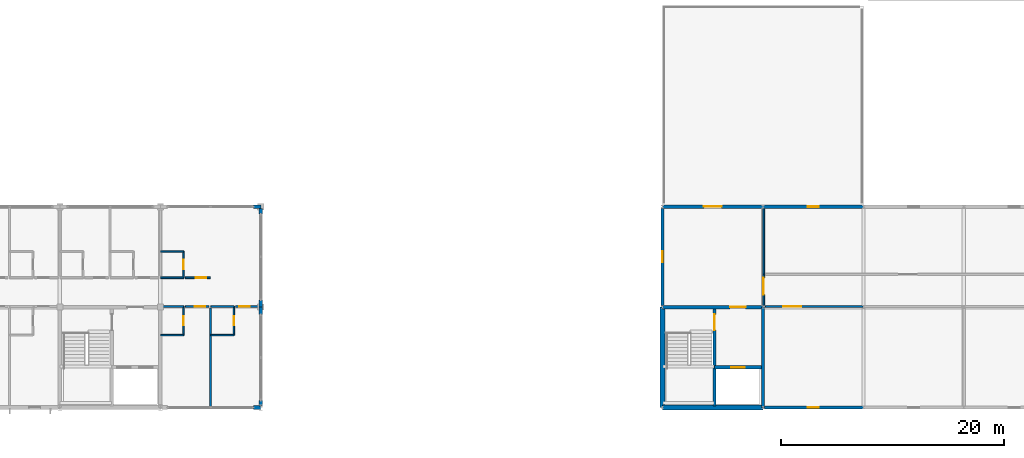
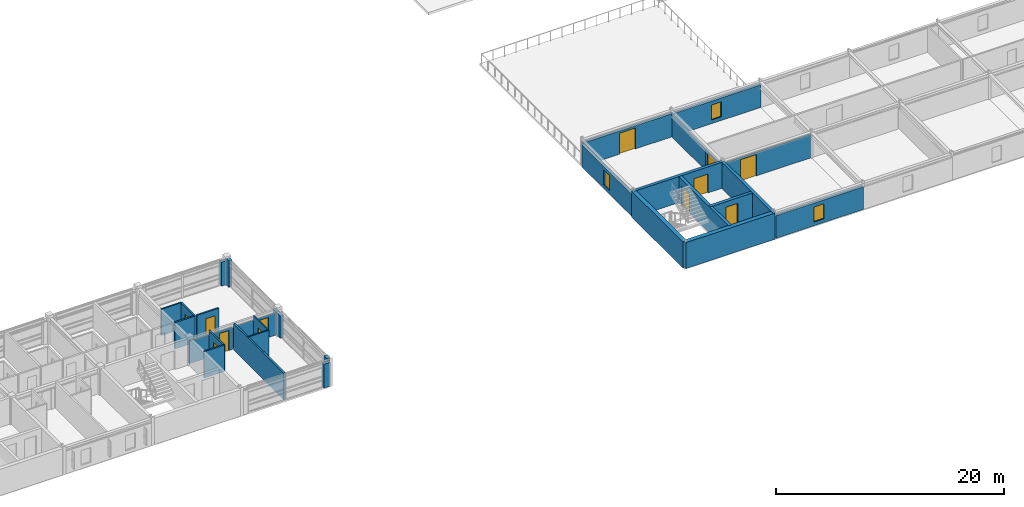
# One storey, part 24 of 37: 32 walls, 12 doors, 3 windows, 15 openings.
"""IFC4 building model written with IfcOpenShell, lengths in metres."""

from ifc_helpers import new_model, si_unit, direction, frame, frame_2d, origin, place, context, subcontext, project, spatial, rectangle, extrude, material, layer, layer_set, type_object, element, fill, save


model = new_model("IFC4")

# Units and contexts
model_context = context("Model", 3, precision=1e-05, world=origin(), true_north=direction((0.0, 1.0)))
body_context = subcontext(model_context, "Body", "Model", "MODEL_VIEW")
ifc_project = project(units=[si_unit("LENGTHUNIT", "METRE"), si_unit("AREAUNIT", "SQUARE_METRE"), si_unit("VOLUMEUNIT", "CUBIC_METRE"), si_unit("PLANEANGLEUNIT", "RADIAN"), si_unit("MASSUNIT", "GRAM", prefix="KILO")], contexts=[model_context])

# Site, building, storey
site_placement = place(None, origin())
site = spatial("IfcSite", under=ifc_project, at=site_placement, CompositionType="ELEMENT")
building_placement = place(site_placement, origin())
building = spatial("IfcBuilding", under=site, at=building_placement, Name="Palais des Congres Ocreval", CompositionType="ELEMENT")
storey_placement = place(building_placement, frame((0.0, 0.0, 11.52001953125)))
storey = spatial("IfcBuildingStorey", under=building, at=storey_placement, Name="L03", CompositionType="ELEMENT", Elevation=11.52001953125)

# Wall, opening, door
ifc_material_1 = material(Name="Moisture-resistant gypsum board")
ifc_layer_1 = layer(ifc_material_1, 0.139892578125)
ifc_layer_set_1 = layer_set([ifc_layer_1], Name="Bathroom Plumbing Chase Wall 140 Gypsum (Moisture-resistant gypsum board)")
wall_type_1 = type_object("IfcWallType", Name="Bathroom Plumbing Chase Wall 140 Gypsum", PredefinedType="PLUMBINGWALL", material=ifc_layer_set_1)
wall_1_placement = place(storey_placement, frame((65.080078125, 6.5, 0.0), z_axis=(0.0, 0.0, 1.0), x_axis=(0.0, 1.0, 0.0)))
wall_1 = element("IfcWall", 1, at=wall_1_placement, inside=storey, type_object=wall_type_1, Name="Bathroom Plumbing Wall PW03 L03", PredefinedType="PLUMBINGWALL", context=body_context, shape_type="SweptSolid", body=[
    extrude(rectangle(XDim=2.56005859375, YDim=0.139892578125, at=frame_2d((1.280029296875, 0.0))), origin(), (0.0, 0.0, 1.0), 2.820068359375),
])
opening_1_placement = place(wall_1_placement, frame((0.85498046875, 0.0, 0.0)))
opening_1 = element("IfcOpeningElement", 2, at=opening_1_placement, cuts=wall_1, Name="Opening D08", PredefinedType="OPENING", context=body_context, shape_type="SweptSolid", body=[
    extrude(rectangle(XDim=0.85009765625, YDim=2.0400390625, at=frame_2d((0.425048828125, 1.02001953125))), frame((0.0, 0.079833984375, 0.0), z_axis=(0.0, -1.0, 0.0), x_axis=(1.0, 0.0, 0.0)), (0.0, 0.0, 1.0), 0.159912109375),
])
ifc_material_2 = material(Name="Solid French oak", Category="wood")
door_type_1 = type_object("IfcDoorType", Name="En-Suite Bathroom Door 850x2040", OperationType="NOTDEFINED", PredefinedType="DOOR", material=ifc_material_2)
door_1_placement = place(opening_1_placement, origin())
door_1 = element("IfcDoor", 3, at=door_1_placement, inside=storey, type_object=door_type_1, Name="En-Suite Bathroom Door D08 L03", OperationType="SINGLE_SWING_RIGHT", OverallHeight=2.0400390625, OverallWidth=0.85009765625, PredefinedType="DOOR", context=body_context, shape_type="SweptSolid", body=[
    extrude(rectangle(XDim=0.85009765625, YDim=2.0400390625, at=frame_2d((0.425048828125, 1.02001953125))), frame((0.0, 0.02490234375, 0.0), z_axis=(0.0, -1.0, 0.0), x_axis=(1.0, 0.0, 0.0)), (0.0, 0.0, 1.0), 0.050048828125),
])
fill(opening_1, door_1)

# Wall
wall_2_placement = place(storey_placement, frame((63.02001953125, 6.5, 0.0), z_axis=(0.0, 0.0, 1.0), x_axis=(1.0, 0.0, 0.0)))
element("IfcWall", 4, at=wall_2_placement, inside=storey, type_object=wall_type_1, Name="Bathroom Plumbing Wall PW03 L03", PredefinedType="PLUMBINGWALL", context=body_context, shape_type="SweptSolid", body=[
    extrude(rectangle(XDim=2.06005859375, YDim=0.139892578125, at=frame_2d((1.030029296875, 0.0))), origin(), (0.0, 0.0, 1.0), 2.820068359375),
])

# Wall, opening, door
wall_3_placement = place(storey_placement, frame((69.580078125, 6.5, 0.0), z_axis=(0.0, 0.0, 1.0), x_axis=(0.0, 1.0, 0.0)))
wall_3 = element("IfcWall", 5, at=wall_3_placement, inside=storey, type_object=wall_type_1, Name="Bathroom Plumbing Wall PW03 L03", PredefinedType="PLUMBINGWALL", context=body_context, shape_type="SweptSolid", body=[
    extrude(rectangle(XDim=2.56005859375, YDim=0.139892578125, at=frame_2d((1.280029296875, 0.0))), origin(), (0.0, 0.0, 1.0), 2.820068359375),
])
opening_2_placement = place(wall_3_placement, frame((0.85498046875, 0.0, 0.0)))
opening_2 = element("IfcOpeningElement", 6, at=opening_2_placement, cuts=wall_3, Name="Opening D08", PredefinedType="OPENING", context=body_context, shape_type="SweptSolid", body=[
    extrude(rectangle(XDim=0.85009765625, YDim=2.0400390625, at=frame_2d((0.425048828125, 1.02001953125))), frame((0.0, 0.079833984375, 0.0), z_axis=(0.0, -1.0, 0.0), x_axis=(1.0, 0.0, 0.0)), (0.0, 0.0, 1.0), 0.159912109375),
])
door_2_placement = place(opening_2_placement, origin())
door_2 = element("IfcDoor", 7, at=door_2_placement, inside=storey, type_object=door_type_1, Name="En-Suite Bathroom Door D08 L03", OperationType="SINGLE_SWING_LEFT", OverallHeight=2.0400390625, OverallWidth=0.85009765625, PredefinedType="DOOR", context=body_context, shape_type="SweptSolid", body=[
    extrude(rectangle(XDim=0.85009765625, YDim=2.0400390625, at=frame_2d((0.425048828125, 1.02001953125))), frame((0.0, 0.02490234375, 0.0), z_axis=(0.0, -1.0, 0.0), x_axis=(1.0, 0.0, 0.0)), (0.0, 0.0, 1.0), 0.050048828125),
])
fill(opening_2, door_2)

# Wall
wall_4_placement = place(storey_placement, frame((67.52001953125, 6.5, 0.0), z_axis=(0.0, 0.0, 1.0), x_axis=(1.0, 0.0, 0.0)))
element("IfcWall", 8, at=wall_4_placement, inside=storey, type_object=wall_type_1, Name="Bathroom Plumbing Wall PW03 L03", PredefinedType="PLUMBINGWALL", context=body_context, shape_type="SweptSolid", body=[
    extrude(rectangle(XDim=2.06005859375, YDim=0.139892578125, at=frame_2d((1.030029296875, 0.0))), origin(), (0.0, 0.0, 1.0), 2.820068359375),
])

# Wall, opening, door
wall_5_placement = place(storey_placement, frame((65.080078125, 11.639892578125, 0.0), z_axis=(0.0, 0.0, 1.0), x_axis=(0.0, 1.0, 0.0)))
wall_5 = element("IfcWall", 9, at=wall_5_placement, inside=storey, type_object=wall_type_1, Name="Bathroom Plumbing Wall PW03 L03", PredefinedType="PLUMBINGWALL", context=body_context, shape_type="SweptSolid", body=[
    extrude(rectangle(XDim=2.360107421875, YDim=0.139892578125, at=frame_2d((1.18017578125, 0.0))), origin(), (0.0, 0.0, 1.0), 2.820068359375),
])
opening_3_placement = place(wall_5_placement, frame((0.7548828125, 0.0, 0.0)))
opening_3 = element("IfcOpeningElement", 10, at=opening_3_placement, cuts=wall_5, Name="Opening D08", PredefinedType="OPENING", context=body_context, shape_type="SweptSolid", body=[
    extrude(rectangle(XDim=0.85009765625, YDim=2.0400390625, at=frame_2d((0.425048828125, 1.02001953125))), frame((0.0, 0.079833984375, 0.0), z_axis=(0.0, -1.0, 0.0), x_axis=(1.0, 0.0, 0.0)), (0.0, 0.0, 1.0), 0.159912109375),
])
door_3_placement = place(opening_3_placement, origin())
door_3 = element("IfcDoor", 11, at=door_3_placement, inside=storey, type_object=door_type_1, Name="En-Suite Bathroom Door D08 L03", OperationType="SINGLE_SWING_RIGHT", OverallHeight=2.0400390625, OverallWidth=0.85009765625, PredefinedType="DOOR", context=body_context, shape_type="SweptSolid", body=[
    extrude(rectangle(XDim=0.85009765625, YDim=2.0400390625, at=frame_2d((0.425048828125, 1.02001953125))), frame((0.0, 0.02490234375, 0.0), z_axis=(0.0, -1.0, 0.0), x_axis=(1.0, 0.0, 0.0)), (0.0, 0.0, 1.0), 0.050048828125),
])
fill(opening_3, door_3)

# Walls
wall_6_placement = place(storey_placement, frame((63.02001953125, 14.0, 0.0), z_axis=(0.0, 0.0, 1.0), x_axis=(1.0, 0.0, 0.0)))
element("IfcWall", 12, at=wall_6_placement, inside=storey, type_object=wall_type_1, Name="Bathroom Plumbing Wall PW03 L03", PredefinedType="PLUMBINGWALL", context=body_context, shape_type="SweptSolid", body=[
    extrude(rectangle(XDim=2.06005859375, YDim=0.139892578125, at=frame_2d((1.030029296875, 0.0))), origin(), (0.0, 0.0, 1.0), 2.820068359375),
])
ifc_material_3 = material(Name="Concrete C40/50", Category="concrete")
ifc_layer_2 = layer(ifc_material_3, 0.419921875)
ifc_layer_set_2 = layer_set([ifc_layer_2], Name="Congress Stone Facade Wall 420 Concrete C40/50")
wall_type_2 = type_object("IfcWallType", Name="Congress Stone Facade Wall 420 Concrete C40/50", PredefinedType="SOLIDWALL", material=ifc_layer_set_2)
for number, where, z_axis, x_axis, name in (
    (13, (117.0, 0.0, 0.0), (0.0, 0.0, 1.0), (-1.0, 0.0, 0.0), "Core Perimeter Shear Wall EW02 SC09 L03"),
    (14, (108.0, 0.0, 0.0), (0.0, 0.0, 1.0), (0.0, 1.0, 0.0), "Core Perimeter Shear Wall EW02 SC09 L03"),
):
    element("IfcWall", number, at=place(storey_placement, frame(where, z_axis=z_axis, x_axis=x_axis)), inside=storey, type_object=wall_type_2, Name=name, PredefinedType="SOLIDWALL", context=body_context, shape_type="SweptSolid", body=[
        extrude(rectangle(XDim=9.0, YDim=0.419921875, at=frame_2d((4.5, 0.0))), origin(), (0.0, 0.0, 1.0), 2.7900390625),
    ])
ifc_layer_3 = layer(ifc_material_3, 0.300048828125)
ifc_layer_set_3 = layer_set([ifc_layer_3], Name="Core Shear Wall 300 Concrete C40/50")
wall_type_3 = type_object("IfcWallType", Name="Core Shear Wall 300 Concrete C40/50", PredefinedType="SHEAR", material=ifc_layer_set_3)
wall_7_placement = place(storey_placement, frame((117.0, 0.0, 0.0), z_axis=(0.0, 0.0, 1.0), x_axis=(0.0, 1.0, 0.0)))
element("IfcWall", 15, at=wall_7_placement, inside=storey, type_object=wall_type_3, Name="Core Shear Wall SC09 L03 E", PredefinedType="SHEAR", context=body_context, shape_type="SweptSolid", body=[
    extrude(rectangle(XDim=9.0, YDim=0.300048828125, at=frame_2d((4.5, 0.0))), origin(), (0.0, 0.0, 1.0), 2.7900390625),
])

# Wall, opening, door
wall_8_placement = place(storey_placement, frame((108.0, 9.0, 0.0), z_axis=(0.0, 0.0, 1.0), x_axis=(1.0, 0.0, 0.0)))
wall_8 = element("IfcWall", 16, at=wall_8_placement, inside=storey, type_object=wall_type_3, Name="Core Shear Wall SC09 L03 N", PredefinedType="SHEAR", context=body_context, shape_type="SweptSolid", body=[
    extrude(rectangle(XDim=9.0, YDim=0.300048828125, at=frame_2d((4.5, 0.0))), origin(), (0.0, 0.0, 1.0), 2.7900390625),
])
opening_4_placement = place(wall_8_placement, frame((6.050048828125, 0.0, 0.0)))
opening_4 = element("IfcOpeningElement", 17, at=opening_4_placement, cuts=wall_8, Name="Opening D03", PredefinedType="OPENING", context=body_context, shape_type="SweptSolid", body=[
    extrude(rectangle(XDim=1.39990234375, YDim=2.02001953125, at=frame_2d((0.699951171875, 1.010009765625))), frame((0.0, 0.159912109375, 0.0), z_axis=(0.0, -1.0, 0.0), x_axis=(1.0, 0.0, 0.0)), (0.0, 0.0, 1.0), 0.320068359375),
])
ifc_material_4 = material(Name="Painted fire-rated steel", Category="steel")
door_type_2 = type_object("IfcDoorType", Name="Core Lobby Rated Door 1400x2020", OperationType="NOTDEFINED", PredefinedType="DOOR", material=ifc_material_4)
door_4_placement = place(opening_4_placement, origin())
door_4 = element("IfcDoor", 18, at=door_4_placement, inside=storey, type_object=door_type_2, Name="Lobby Entrance Door SC09 L03", OperationType="DOUBLE_DOOR_SINGLE_SWING", OverallHeight=2.02001953125, OverallWidth=1.39990234375, PredefinedType="DOOR", context=body_context, shape_type="SweptSolid", body=[
    extrude(rectangle(XDim=1.39990234375, YDim=2.02001953125, at=frame_2d((0.699951171875, 1.010009765625))), frame((0.0, 0.02490234375, 0.0), z_axis=(0.0, -1.0, 0.0), x_axis=(1.0, 0.0, 0.0)), (0.0, 0.0, 1.0), 0.050048828125),
])
fill(opening_4, door_4)

wall_9_placement = place(storey_placement, frame((112.64990234375, 0.14990234375, 0.0), z_axis=(0.0, 0.0, 1.0), x_axis=(0.0, 1.0, 0.0)))
wall_9 = element("IfcWall", 19, at=wall_9_placement, inside=storey, type_object=wall_type_3, Name="Core Spine Shear Wall SC09 L03", PredefinedType="SHEAR", context=body_context, shape_type="SweptSolid", body=[
    extrude(rectangle(XDim=8.7001953125, YDim=0.300048828125, at=frame_2d((4.35009765625, 0.0))), origin(), (0.0, 0.0, 1.0), 2.7900390625),
])
opening_5_placement = place(wall_9_placement, frame((6.800048828125, 0.0, 0.0)))
opening_5 = element("IfcOpeningElement", 20, at=opening_5_placement, cuts=wall_9, Name="Opening D03", PredefinedType="OPENING", context=body_context, shape_type="SweptSolid", body=[
    extrude(rectangle(XDim=1.39990234375, YDim=2.02001953125, at=frame_2d((0.699951171875, 1.010009765625))), frame((0.0, 0.159912109375, 0.0), z_axis=(0.0, -1.0, 0.0), x_axis=(1.0, 0.0, 0.0)), (0.0, 0.0, 1.0), 0.320068359375),
])
door_5_placement = place(opening_5_placement, origin())
door_5 = element("IfcDoor", 21, at=door_5_placement, inside=storey, type_object=door_type_2, Name="Protected Exit Stair Door ST09 L03", OperationType="SINGLE_SWING_LEFT", OverallHeight=2.02001953125, OverallWidth=1.39990234375, PredefinedType="DOOR", context=body_context, shape_type="SweptSolid", body=[
    extrude(rectangle(XDim=1.39990234375, YDim=2.02001953125, at=frame_2d((0.699951171875, 1.010009765625))), frame((0.0, 0.02490234375, 0.0), z_axis=(0.0, -1.0, 0.0), x_axis=(1.0, 0.0, 0.0)), (0.0, 0.0, 1.0), 0.050048828125),
])
fill(opening_5, door_5)

wall_10_placement = place(storey_placement, frame((112.64990234375, 3.60009765625, 0.0), z_axis=(0.0, 0.0, 1.0), x_axis=(1.0, 0.0, 0.0)))
wall_10 = element("IfcWall", 22, at=wall_10_placement, inside=storey, type_object=wall_type_3, Name="Lift Shaft Front Wall SC09 L03", PredefinedType="SHEAR", context=body_context, shape_type="SweptSolid", body=[
    extrude(rectangle(XDim=4.2001953125, YDim=0.300048828125, at=frame_2d((2.10009765625, 0.0))), origin(), (0.0, 0.0, 1.0), 2.7900390625),
])
opening_6_placement = place(wall_10_placement, frame((1.5, 0.0, 0.0)))
opening_6 = element("IfcOpeningElement", 23, at=opening_6_placement, cuts=wall_10, Name="Opening LD02", PredefinedType="OPENING", context=body_context, shape_type="SweptSolid", body=[
    extrude(rectangle(XDim=1.199951171875, YDim=2.199951171875, at=frame_2d((0.60009765625, 1.10009765625))), frame((0.0, 0.159912109375, 0.0), z_axis=(0.0, -1.0, 0.0), x_axis=(1.0, 0.0, 0.0)), (0.0, 0.0, 1.0), 0.320068359375),
])
ifc_material_5 = material(Name="Anodized bronze steel", Category="steel")
door_type_3 = type_object("IfcDoorType", Name="Passenger and Service Lift Sliding Door 1200x2200", OperationType="NOTDEFINED", PredefinedType="DOOR", material=ifc_material_5)
door_6_placement = place(opening_6_placement, origin())
door_6 = element("IfcDoor", 24, at=door_6_placement, inside=storey, type_object=door_type_3, Name="Lift Landing Sliding Door CL3 L03", OperationType="DOUBLE_DOOR_SLIDING", OverallHeight=2.199951171875, OverallWidth=1.199951171875, PredefinedType="DOOR", context=body_context, shape_type="SweptSolid", body=[
    extrude(rectangle(XDim=1.199951171875, YDim=2.199951171875, at=frame_2d((0.60009765625, 1.10009765625))), frame((0.0, 0.02490234375, 0.0), z_axis=(0.0, -1.0, 0.0), x_axis=(1.0, 0.0, 0.0)), (0.0, 0.0, 1.0), 0.050048828125),
])
fill(opening_6, door_6)

# Walls
ifc_material_6 = material(Name="Gypsum acoustic partition")
ifc_layer_4 = layer(ifc_material_6, 0.159912109375)
ifc_layer_set_4 = layer_set([ifc_layer_4], Name="Corridor Fire Partition 160 Gypsum (Gypsum acoustic partition)")
wall_type_4 = type_object("IfcWallType", Name="Corridor Fire Partition 160 Gypsum", PredefinedType="PARTITIONING", material=ifc_layer_set_4)
for number, where, z_axis, x_axis, name in (
    (25, (63.02001953125, 9.06005859375, 0.0), (0.0, 0.0, 1.0), (1.0, 0.0, 0.0), "Corridor Partition IW03 L03"),
    (26, (67.52001953125, 9.06005859375, 0.0), (0.0, 0.0, 1.0), (1.0, 0.0, 0.0), "Corridor Partition IW03 L03"),
):
    element("IfcWall", number, at=place(storey_placement, frame(where, z_axis=z_axis, x_axis=x_axis)), inside=storey, type_object=wall_type_4, Name=name, PredefinedType="PARTITIONING", context=body_context, shape_type="SweptSolid", body=[
        extrude(rectangle(XDim=2.06005859375, YDim=0.159912109375, at=frame_2d((1.030029296875, 0.0))), origin(), (0.0, 0.0, 1.0), 2.3798828125),
    ])
wall_11_placement = place(storey_placement, frame((63.02001953125, 11.639892578125, 0.0), z_axis=(0.0, 0.0, 1.0), x_axis=(1.0, 0.0, 0.0)))
element("IfcWall", 27, at=wall_11_placement, inside=storey, type_object=wall_type_4, Name="Corridor Partition IW03 L03", PredefinedType="PARTITIONING", context=body_context, shape_type="SweptSolid", body=[
    extrude(rectangle(XDim=2.06005859375, YDim=0.159912109375, at=frame_2d((1.030029296875, 0.0))), origin(), (0.0, 0.0, 1.0), 2.820068359375),
])
wall_12_placement = place(storey_placement, frame((117.06494140625, 11.93994140625, 0.0), z_axis=(0.0, 0.0, 1.0), x_axis=(0.0, 1.0, 0.0)))
element("IfcWall", 28, at=wall_12_placement, inside=storey, type_object=wall_type_4, Name="Interior Partition IW03 L03", PredefinedType="PARTITIONING", context=body_context, shape_type="SweptSolid", body=[
    extrude(rectangle(XDim=5.9150390625, YDim=0.159912109375, at=frame_2d((2.95751953125, 0.0))), origin(), (0.0, 0.0, 1.0), 2.18994140625),
])

# Wall, opening, door
wall_13_placement = place(storey_placement, frame((65.235107421875, 9.06494140625, 0.0), z_axis=(0.0, 0.0, 1.0), x_axis=(1.0, 0.0, 0.0)))
wall_13 = element("IfcWall", 29, at=wall_13_placement, inside=storey, type_object=wall_type_4, Name="Interior Partition IW03 L03", PredefinedType="PARTITIONING", context=body_context, shape_type="SweptSolid", body=[
    extrude(rectangle(XDim=2.10986328125, YDim=0.159912109375, at=frame_2d((1.054931640625, 0.0))), origin(), (0.0, 0.0, 1.0), 2.3798828125),
])
opening_7_placement = place(wall_13_placement, frame((0.833251953125, 0.0, 0.0)))
opening_7 = element("IfcOpeningElement", 30, at=opening_7_placement, cuts=wall_13, Name="Opening D05", PredefinedType="OPENING", context=body_context, shape_type="SweptSolid", body=[
    extrude(rectangle(XDim=0.949951171875, YDim=2.14990234375, at=frame_2d((0.47509765625, 1.074951171875))), frame((0.0, 0.08984375, 0.0), z_axis=(0.0, -1.0, 0.0), x_axis=(1.0, 0.0, 0.0)), (0.0, 0.0, 1.0), 0.179931640625),
])
door_type_4 = type_object("IfcDoorType", Name="Hotel Guestroom Entrance Door 950x2150", OperationType="NOTDEFINED", PredefinedType="DOOR", material=ifc_material_2)
door_7_placement = place(opening_7_placement, origin())
door_7 = element("IfcDoor", 31, at=door_7_placement, inside=storey, type_object=door_type_4, Name="Interior Door D05 L03", OperationType="SINGLE_SWING_LEFT", OverallHeight=2.14990234375, OverallWidth=0.949951171875, PredefinedType="DOOR", context=body_context, shape_type="SweptSolid", body=[
    extrude(rectangle(XDim=0.949951171875, YDim=2.14990234375, at=frame_2d((0.47509765625, 1.074951171875))), frame((0.0, 0.02490234375, 0.0), z_axis=(0.0, -1.0, 0.0), x_axis=(1.0, 0.0, 0.0)), (0.0, 0.0, 1.0), 0.050048828125),
])
fill(opening_7, door_7)

wall_14_placement = place(storey_placement, frame((69.735107421875, 9.06494140625, 0.0), z_axis=(0.0, 0.0, 1.0), x_axis=(1.0, 0.0, 0.0)))
wall_14 = element("IfcWall", 32, at=wall_14_placement, inside=storey, type_object=wall_type_4, Name="Interior Partition IW03 L03", PredefinedType="PARTITIONING", context=body_context, shape_type="SweptSolid", body=[
    extrude(rectangle(XDim=2.08984375, YDim=0.159912109375, at=frame_2d((1.044921875, 0.0))), origin(), (0.0, 0.0, 1.0), 2.3798828125),
])
opening_8_placement = place(wall_14_placement, frame((0.319091796875, 0.0, 0.0)))
opening_8 = element("IfcOpeningElement", 33, at=opening_8_placement, cuts=wall_14, Name="Opening D05", PredefinedType="OPENING", context=body_context, shape_type="SweptSolid", body=[
    extrude(rectangle(XDim=0.949951171875, YDim=2.14990234375, at=frame_2d((0.47509765625, 1.074951171875))), frame((0.0, 0.08984375, 0.0), z_axis=(0.0, -1.0, 0.0), x_axis=(1.0, 0.0, 0.0)), (0.0, 0.0, 1.0), 0.179931640625),
])
door_8_placement = place(opening_8_placement, origin())
door_8 = element("IfcDoor", 34, at=door_8_placement, inside=storey, type_object=door_type_4, Name="Interior Door D05 L03", OperationType="SINGLE_SWING_RIGHT", OverallHeight=2.14990234375, OverallWidth=0.949951171875, PredefinedType="DOOR", context=body_context, shape_type="SweptSolid", body=[
    extrude(rectangle(XDim=0.949951171875, YDim=2.14990234375, at=frame_2d((0.47509765625, 1.074951171875))), frame((0.0, 0.02490234375, 0.0), z_axis=(0.0, -1.0, 0.0), x_axis=(1.0, 0.0, 0.0)), (0.0, 0.0, 1.0), 0.050048828125),
])
fill(opening_8, door_8)

wall_15_placement = place(storey_placement, frame((65.235107421875, 11.635009765625, 0.0), z_axis=(0.0, 0.0, 1.0), x_axis=(1.0, 0.0, 0.0)))
wall_15 = element("IfcWall", 35, at=wall_15_placement, inside=storey, type_object=wall_type_4, Name="Interior Partition IW03 L03", PredefinedType="PARTITIONING", context=body_context, shape_type="SweptSolid", body=[
    extrude(rectangle(XDim=2.244873046875, YDim=0.159912109375, at=frame_2d((1.12255859375, 0.0))), origin(), (0.0, 0.0, 1.0), 2.820068359375),
])
opening_9_placement = place(wall_15_placement, frame((0.9169921875, 0.0, 0.0)))
opening_9 = element("IfcOpeningElement", 36, at=opening_9_placement, cuts=wall_15, Name="Opening D05", PredefinedType="OPENING", context=body_context, shape_type="SweptSolid", body=[
    extrude(rectangle(XDim=0.949951171875, YDim=2.14990234375, at=frame_2d((0.47509765625, 1.074951171875))), frame((0.0, 0.08984375, 0.0), z_axis=(0.0, -1.0, 0.0), x_axis=(1.0, 0.0, 0.0)), (0.0, 0.0, 1.0), 0.179931640625),
])
door_9_placement = place(opening_9_placement, origin())
door_9 = element("IfcDoor", 37, at=door_9_placement, inside=storey, type_object=door_type_4, Name="Interior Door D05 L03", OperationType="SINGLE_SWING_LEFT", OverallHeight=2.14990234375, OverallWidth=0.949951171875, PredefinedType="DOOR", context=body_context, shape_type="SweptSolid", body=[
    extrude(rectangle(XDim=0.949951171875, YDim=2.14990234375, at=frame_2d((0.47509765625, 1.074951171875))), frame((0.0, 0.02490234375, 0.0), z_axis=(0.0, -1.0, 0.0), x_axis=(1.0, 0.0, 0.0)), (0.0, 0.0, 1.0), 0.050048828125),
])
fill(opening_9, door_9)

wall_16_placement = place(storey_placement, frame((117.06494140625, 9.155029296875, 0.0), z_axis=(0.0, 0.0, 1.0), x_axis=(0.0, 1.0, 0.0)))
wall_16 = element("IfcWall", 38, at=wall_16_placement, inside=storey, type_object=wall_type_4, Name="Interior Partition IW03 L03", PredefinedType="PARTITIONING", context=body_context, shape_type="SweptSolid", body=[
    extrude(rectangle(XDim=2.77490234375, YDim=0.159912109375, at=frame_2d((1.387451171875, 0.0))), origin(), (0.0, 0.0, 1.0), 2.18994140625),
])
opening_10_placement = place(wall_16_placement, frame((0.970458984375, 0.0, 0.0)))
opening_10 = element("IfcOpeningElement", 39, at=opening_10_placement, cuts=wall_16, Name="Opening D04", PredefinedType="OPENING", context=body_context, shape_type="SweptSolid", body=[
    extrude(rectangle(XDim=1.5, YDim=2.10009765625, at=frame_2d((0.75, 1.050048828125))), frame((0.0, 0.08984375, 0.0), z_axis=(0.0, -1.0, 0.0), x_axis=(1.0, 0.0, 0.0)), (0.0, 0.0, 1.0), 0.179931640625),
])
ifc_material_7 = material(Name="Solid French oak fire door", Category="wood")
door_type_5 = type_object("IfcDoorType", Name="Corridor Compartment Double Door 1500x2100", OperationType="NOTDEFINED", PredefinedType="DOOR", material=ifc_material_7)
door_10_placement = place(opening_10_placement, origin())
door_10 = element("IfcDoor", 40, at=door_10_placement, inside=storey, type_object=door_type_5, Name="Interior Door D04 L03", OperationType="DOUBLE_DOOR_SINGLE_SWING", OverallHeight=2.10009765625, OverallWidth=1.5, PredefinedType="DOOR", context=body_context, shape_type="SweptSolid", body=[
    extrude(rectangle(XDim=1.5, YDim=2.10009765625, at=frame_2d((0.75, 1.050048828125))), frame((0.0, 0.02490234375, 0.0), z_axis=(0.0, -1.0, 0.0), x_axis=(1.0, 0.0, 0.0)), (0.0, 0.0, 1.0), 0.050048828125),
])
fill(opening_10, door_10)

wall_17_placement = place(storey_placement, frame((117.219970703125, 9.06494140625, 0.0), z_axis=(0.0, 0.0, 1.0), x_axis=(1.0, 0.0, 0.0)))
wall_17 = element("IfcWall", 41, at=wall_17_placement, inside=storey, type_object=wall_type_4, Name="Interior Partition IW03 L03", PredefinedType="PARTITIONING", context=body_context, shape_type="SweptSolid", body=[
    extrude(rectangle(XDim=8.760009765625, YDim=0.159912109375, at=frame_2d((4.3798828125, 0.0))), origin(), (0.0, 0.0, 1.0), 2.489990234375),
])
opening_11_placement = place(wall_17_placement, frame((1.60009765625, 0.0, 0.0)))
opening_11 = element("IfcOpeningElement", 42, at=opening_11_placement, cuts=wall_17, Name="Opening D12", PredefinedType="OPENING", context=body_context, shape_type="SweptSolid", body=[
    extrude(rectangle(XDim=1.60009765625, YDim=2.300048828125, at=frame_2d((0.800048828125, 1.14990234375))), frame((0.0, 0.08984375, 0.0), z_axis=(0.0, -1.0, 0.0), x_axis=(1.0, 0.0, 0.0)), (0.0, 0.0, 1.0), 0.179931640625),
])
door_type_6 = type_object("IfcDoorType", Name="Meeting Room Acoustic Double Door 1600x2300", OperationType="NOTDEFINED", PredefinedType="DOOR", material=ifc_material_2)
door_11_placement = place(opening_11_placement, origin())
door_11 = element("IfcDoor", 43, at=door_11_placement, inside=storey, type_object=door_type_6, Name="Interior Door D12 L03", OperationType="DOUBLE_DOOR_SINGLE_SWING", OverallHeight=2.300048828125, OverallWidth=1.60009765625, PredefinedType="DOOR", context=body_context, shape_type="SweptSolid", body=[
    extrude(rectangle(XDim=1.60009765625, YDim=2.300048828125, at=frame_2d((0.800048828125, 1.14990234375))), frame((0.0, 0.02490234375, 0.0), z_axis=(0.0, -1.0, 0.0), x_axis=(1.0, 0.0, 0.0)), (0.0, 0.0, 1.0), 0.050048828125),
])
fill(opening_11, door_11)

# Walls
ifc_layer_5 = layer(ifc_material_6, 0.179931640625)
ifc_layer_set_5 = layer_set([ifc_layer_5], Name="Hotel Inter-Room Acoustic Partition 180 Gypsum (Gypsum acoustic partition)")
wall_type_5 = type_object("IfcWallType", Name="Hotel Inter-Room Acoustic Partition 180 Gypsum", PredefinedType="PARTITIONING", material=ifc_layer_set_5)
wall_18_placement = place(storey_placement, frame((67.5, 0.094970703125, 0.0), z_axis=(0.0, 0.0, 1.0), x_axis=(0.0, 1.0, 0.0)))
element("IfcWall", 44, at=wall_18_placement, inside=storey, type_object=wall_type_5, Name="Hotel Party Partition IW02 L03", PredefinedType="PARTITIONING", context=body_context, shape_type="SweptSolid", body=[
    extrude(rectangle(XDim=8.81005859375, YDim=0.179931640625, at=frame_2d((4.405029296875, 0.0))), origin(), (0.0, 0.0, 1.0), 2.820068359375),
])
ifc_layer_6 = layer(ifc_material_3, 0.340087890625)
ifc_layer_set_6 = layer_set([ifc_layer_6], Name="Ochre Mineral-Lime Courtyard Wall 340 Concrete C40/50")
wall_type_6 = type_object("IfcWallType", Name="Ochre Mineral-Lime Courtyard Wall 340 Concrete C40/50", PredefinedType="SOLIDWALL", material=ifc_layer_set_6)
wall_19_placement = place(storey_placement, frame((72.0, 17.844970703125, 0.0), z_axis=(0.0, 0.0, 1.0), x_axis=(0.0, -1.0, 0.0)))
element("IfcWall", 45, at=wall_19_placement, inside=storey, type_object=wall_type_6, Name="Facade Pier EW04 L03", PredefinedType="SOLIDWALL", context=body_context, shape_type="SweptSolid", body=[
    extrude(rectangle(XDim=0.494873046875, YDim=0.340087890625, at=frame_2d((0.24755859375, 0.0))), origin(), (0.0, 0.0, 1.0), 2.820068359375),
])
wall_20_placement = place(storey_placement, frame((72.0, 9.64990234375, 0.0), z_axis=(0.0, 0.0, 1.0), x_axis=(0.0, -1.0, 0.0)))
element("IfcWall", 46, at=wall_20_placement, inside=storey, type_object=wall_type_6, Name="Facade Pier EW04 L03", PredefinedType="SOLIDWALL", context=body_context, shape_type="SweptSolid", body=[
    extrude(rectangle(XDim=0.64990234375, YDim=0.340087890625, at=frame_2d((0.324951171875, 0.0))), origin(), (0.0, 0.0, 1.0), 2.3798828125),
])
wall_21_placement = place(storey_placement, frame((72.0, 9.0, 0.0), z_axis=(0.0, 0.0, 1.0), x_axis=(0.0, -1.0, 0.0)))
element("IfcWall", 47, at=wall_21_placement, inside=storey, type_object=wall_type_6, Name="Facade Pier EW04 L03", PredefinedType="SOLIDWALL", context=body_context, shape_type="SweptSolid", body=[
    extrude(rectangle(XDim=0.64990234375, YDim=0.340087890625, at=frame_2d((0.324951171875, 0.0))), origin(), (0.0, 0.0, 1.0), 2.419921875),
])
wall_22_placement = place(storey_placement, frame((72.0, 0.64990234375, 0.0), z_axis=(0.0, 0.0, 1.0), x_axis=(0.0, -1.0, 0.0)))
element("IfcWall", 48, at=wall_22_placement, inside=storey, type_object=wall_type_6, Name="Facade Pier EW04 L03", PredefinedType="SOLIDWALL", context=body_context, shape_type="SweptSolid", body=[
    extrude(rectangle(XDim=0.494873046875, YDim=0.340087890625, at=frame_2d((0.24755859375, 0.0))), origin(), (0.0, 0.0, 1.0), 2.820068359375),
])
for number, where, z_axis, x_axis, name in (
    (49, (72.0, 0.0, 0.0), (0.0, 0.0, 1.0), (-1.0, 0.0, 0.0), "Facade Pier EW04 L03"),
    (50, (71.35009765625, 18.0, 0.0), (0.0, 0.0, 1.0), (1.0, 0.0, 0.0), "Facade Pier EW04 L03"),
):
    element("IfcWall", number, at=place(storey_placement, frame(where, z_axis=z_axis, x_axis=x_axis)), inside=storey, type_object=wall_type_6, Name=name, PredefinedType="SOLIDWALL", context=body_context, shape_type="SweptSolid", body=[
        extrude(rectangle(XDim=0.64990234375, YDim=0.340087890625, at=frame_2d((0.324951171875, 0.0))), origin(), (0.0, 0.0, 1.0), 2.550048828125),
    ])

# Wall, opening, door
ifc_layer_7 = layer(ifc_material_3, 0.280029296875)
ifc_layer_set_7 = layer_set([ifc_layer_7], Name="Terracotta Mineral-Lime Facade Wall 280 Concrete C40/50")
wall_type_7 = type_object("IfcWallType", Name="Terracotta Mineral-Lime Facade Wall 280 Concrete C40/50", PredefinedType="SOLIDWALL", material=ifc_layer_set_7)
wall_23_placement = place(storey_placement, frame((108.0, 18.0, 0.0), z_axis=(0.0, 0.0, 1.0), x_axis=(1.0, 0.0, 0.0)))
wall_23 = element("IfcWall", 51, at=wall_23_placement, inside=storey, type_object=wall_type_7, Name="Exterior Wall EW05 L03", PredefinedType="SOLIDWALL", context=body_context, shape_type="SweptSolid", body=[
    extrude(rectangle(XDim=9.0, YDim=0.280029296875, at=frame_2d((4.5, 0.0))), origin(), (0.0, 0.0, 1.0), 2.47998046875),
])
opening_12_placement = place(wall_23_placement, frame((3.699951171875, 0.0, 0.0)))
opening_12 = element("IfcOpeningElement", 52, at=opening_12_placement, cuts=wall_23, Name="Opening TD02", PredefinedType="OPENING", context=body_context, shape_type="SweptSolid", body=[
    extrude(rectangle(XDim=1.60009765625, YDim=2.25, at=frame_2d((0.800048828125, 1.125))), frame((0.0, 0.14990234375, 0.0), z_axis=(0.0, -1.0, 0.0), x_axis=(1.0, 0.0, 0.0)), (0.0, 0.0, 1.0), 0.300048828125),
])
ifc_material_8 = material(Name="Anodized bronze aluminium and safety glass", Category="aluminium")
door_type_7 = type_object("IfcDoorType", Name="Suite Terrace French Door 1600x2250", OperationType="NOTDEFINED", PredefinedType="DOOR", material=ifc_material_8)
door_12_placement = place(opening_12_placement, origin())
door_12 = element("IfcDoor", 53, at=door_12_placement, inside=storey, type_object=door_type_7, Name="Terrace Access Door Breakout Courtyard Planted Roof Terrace", OperationType="DOUBLE_DOOR_SINGLE_SWING", OverallHeight=2.25, OverallWidth=1.60009765625, PredefinedType="DOOR", context=body_context, shape_type="SweptSolid", body=[
    extrude(rectangle(XDim=1.60009765625, YDim=2.25, at=frame_2d((0.800048828125, 1.125))), frame((0.0, 0.02490234375, 0.0), z_axis=(0.0, -1.0, 0.0), x_axis=(1.0, 0.0, 0.0)), (0.0, 0.0, 1.0), 0.050048828125),
])
fill(opening_12, door_12)

# Wall, opening, window
wall_24_placement = place(storey_placement, frame((117.0, 18.0, 0.0), z_axis=(0.0, 0.0, 1.0), x_axis=(1.0, 0.0, 0.0)))
wall_24 = element("IfcWall", 54, at=wall_24_placement, inside=storey, type_object=wall_type_7, Name="Exterior Wall EW05 L03", PredefinedType="SOLIDWALL", context=body_context, shape_type="SweptSolid", body=[
    extrude(rectangle(XDim=9.0, YDim=0.280029296875, at=frame_2d((4.5, 0.0))), origin(), (0.0, 0.0, 1.0), 2.419921875),
])
opening_13_placement = place(wall_24_placement, frame((4.0, 0.0, 0.39990234375)))
opening_13 = element("IfcOpeningElement", 55, at=opening_13_placement, cuts=wall_24, Name="Opening WN18", PredefinedType="OPENING", context=body_context, shape_type="SweptSolid", body=[
    extrude(rectangle(XDim=1.0, YDim=1.60009765625, at=frame_2d((0.5, 0.800048828125))), frame((0.0, 0.14990234375, 0.0), z_axis=(0.0, -1.0, 0.0), x_axis=(1.0, 0.0, 0.0)), (0.0, 0.0, 1.0), 0.300048828125),
])
ifc_material_9 = material(Name="Anodized bronze aluminium and low-E glass", Category="glass")
window_type = type_object("IfcWindowType", Name="Stair and Lobby Daylight Window 1000x1600", PartitioningType="SINGLE_PANEL", PredefinedType="WINDOW", material=ifc_material_9)
window_1_placement = place(opening_13_placement, origin())
window_1 = element("IfcWindow", 56, at=window_1_placement, inside=storey, type_object=window_type, Name="Facade Window WN18", OverallHeight=1.60009765625, OverallWidth=1.0, PartitioningType="SINGLE_PANEL", PredefinedType="WINDOW", context=body_context, shape_type="SweptSolid", body=[
    extrude(rectangle(XDim=1.0, YDim=1.60009765625, at=frame_2d((0.5, 0.800048828125))), frame((0.0, 0.030029296875, 0.0), z_axis=(0.0, -1.0, 0.0), x_axis=(1.0, 0.0, 0.0)), (0.0, 0.0, 1.0), 0.06005859375),
])
fill(opening_13, window_1)

wall_25_placement = place(storey_placement, frame((126.0, 0.0, 0.0), z_axis=(0.0, 0.0, 1.0), x_axis=(-1.0, 0.0, 0.0)))
wall_25 = element("IfcWall", 57, at=wall_25_placement, inside=storey, type_object=wall_type_7, Name="Exterior Wall EW05 L03", PredefinedType="SOLIDWALL", context=body_context, shape_type="SweptSolid", body=[
    extrude(rectangle(XDim=8.8701171875, YDim=0.280029296875, at=frame_2d((4.43505859375, 0.0))), origin(), (0.0, 0.0, 1.0), 2.419921875),
])
opening_14_placement = place(wall_25_placement, frame((4.0, 0.0, 0.39990234375)))
opening_14 = element("IfcOpeningElement", 58, at=opening_14_placement, cuts=wall_25, Name="Opening WN18", PredefinedType="OPENING", context=body_context, shape_type="SweptSolid", body=[
    extrude(rectangle(XDim=1.0, YDim=1.60009765625, at=frame_2d((0.5, 0.800048828125))), frame((0.0, 0.14990234375, 0.0), z_axis=(0.0, -1.0, 0.0), x_axis=(1.0, 0.0, 0.0)), (0.0, 0.0, 1.0), 0.300048828125),
])
window_2_placement = place(opening_14_placement, origin())
window_2 = element("IfcWindow", 59, at=window_2_placement, inside=storey, type_object=window_type, Name="Facade Window WN18", OverallHeight=1.60009765625, OverallWidth=1.0, PartitioningType="SINGLE_PANEL", PredefinedType="WINDOW", context=body_context, shape_type="SweptSolid", body=[
    extrude(rectangle(XDim=1.0, YDim=1.60009765625, at=frame_2d((0.5, 0.800048828125))), frame((0.0, 0.030029296875, 0.0), z_axis=(0.0, -1.0, 0.0), x_axis=(1.0, 0.0, 0.0)), (0.0, 0.0, 1.0), 0.06005859375),
])
fill(opening_14, window_2)

wall_26_placement = place(storey_placement, frame((108.0, 9.1298828125, 0.0), z_axis=(0.0, 0.0, 1.0), x_axis=(0.0, 1.0, 0.0)))
wall_26 = element("IfcWall", 60, at=wall_26_placement, inside=storey, type_object=wall_type_7, Name="Exterior Wall EW05 L03", PredefinedType="SOLIDWALL", context=body_context, shape_type="SweptSolid", body=[
    extrude(rectangle(XDim=8.715087890625, YDim=0.280029296875, at=frame_2d((4.357421875, 0.0))), origin(), (0.0, 0.0, 1.0), 2.3798828125),
])
opening_15_placement = place(wall_26_placement, frame((3.8701171875, 0.0, 0.39990234375)))
opening_15 = element("IfcOpeningElement", 61, at=opening_15_placement, cuts=wall_26, Name="Opening WN18", PredefinedType="OPENING", context=body_context, shape_type="SweptSolid", body=[
    extrude(rectangle(XDim=1.0, YDim=1.60009765625, at=frame_2d((0.5, 0.800048828125))), frame((0.0, 0.14990234375, 0.0), z_axis=(0.0, -1.0, 0.0), x_axis=(1.0, 0.0, 0.0)), (0.0, 0.0, 1.0), 0.300048828125),
])
window_3_placement = place(opening_15_placement, origin())
window_3 = element("IfcWindow", 62, at=window_3_placement, inside=storey, type_object=window_type, Name="Facade Window WN18", OverallHeight=1.60009765625, OverallWidth=1.0, PartitioningType="SINGLE_PANEL", PredefinedType="WINDOW", context=body_context, shape_type="SweptSolid", body=[
    extrude(rectangle(XDim=1.0, YDim=1.60009765625, at=frame_2d((0.5, 0.800048828125))), frame((0.0, 0.030029296875, 0.0), z_axis=(0.0, -1.0, 0.0), x_axis=(1.0, 0.0, 0.0)), (0.0, 0.0, 1.0), 0.06005859375),
])
fill(opening_15, window_3)

save(model, "model.ifc")
